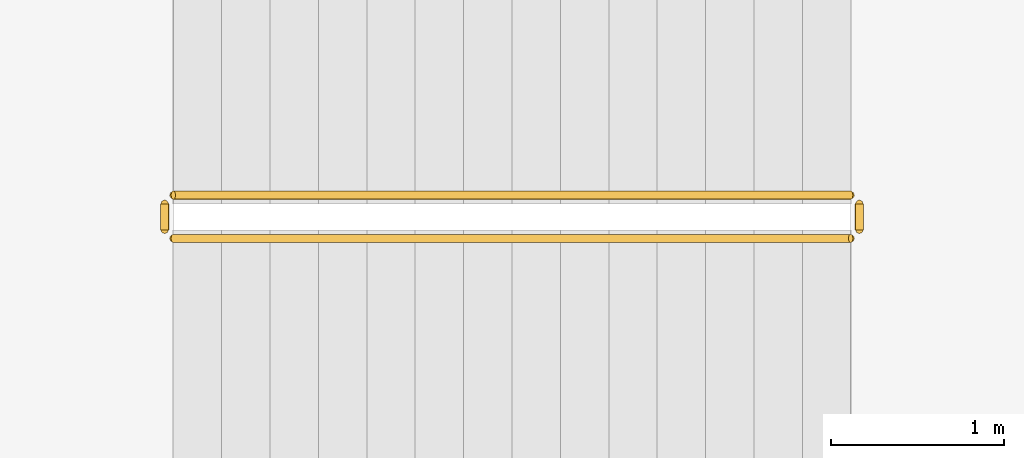
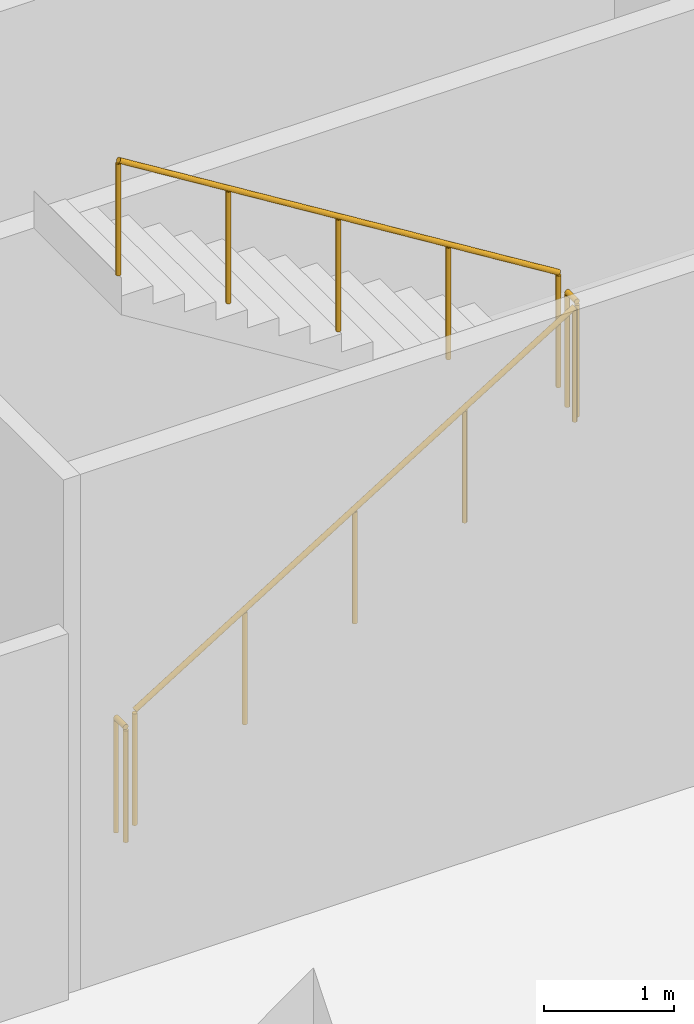
# One storey, part 15 of 21: 4 railings.
"""IFC4 building model written with IfcOpenShell, lengths in metres."""

from ifc_helpers import new_model, si_unit, direction, frame, origin, origin_2d, place, context, subcontext, project, spatial, circle, extrude, material, type_object, element, save


model = new_model("IFC4")

# Units and contexts
model_context = context("Model", 3, precision=1e-05, world=origin(), true_north=direction((0.0, 1.0)))
body_context = subcontext(model_context, "Body", "Model", "MODEL_VIEW")
ifc_project = project(units=[si_unit("LENGTHUNIT", "METRE"), si_unit("AREAUNIT", "SQUARE_METRE"), si_unit("VOLUMEUNIT", "CUBIC_METRE"), si_unit("PLANEANGLEUNIT", "RADIAN"), si_unit("MASSUNIT", "GRAM", prefix="KILO")], contexts=[model_context])

# Site, building, storey
site_placement = place(None, origin())
site = spatial("IfcSite", under=ifc_project, at=site_placement, CompositionType="ELEMENT")
building_placement = place(site_placement, origin())
building = spatial("IfcBuilding", under=site, at=building_placement, Name="Kawkab Arch Medical Tower", CompositionType="ELEMENT")
storey_placement = place(building_placement, frame((0.0, 0.0, 23.800048828125)))
storey = spatial("IfcBuildingStorey", under=building, at=storey_placement, Name="L05", CompositionType="ELEMENT", Elevation=23.800048828125)

# Railings
ifc_material = material(Name="Stainless steel", Category="steel")
railing_type = type_object("IfcRailingType", Name="Stair guard 1100", PredefinedType="GUARDRAIL", material=ifc_material)
railing_1_placement = place(storey_placement, frame((1.97509765625, -72.35009765625, 0.17333984375)))
element("IfcRailing", 1, at=railing_1_placement, inside=storey, type_object=railing_type, Name="L05 ST10 stair guard 1", PredefinedType="GUARDRAIL", context=body_context, shape_type="SweptSolid", body=[
    extrude(circle(Radius=0.02392578125, at=origin_2d()), frame((0.0, 0.0, 1.076171875), z_axis=(0.850275303828, 0.0, 0.526338206574), x_axis=(0.0, 1.0, 0.0)), (0.0, 0.0, 1.0), 4.610107421875),
    extrude(circle(Radius=0.02099609375, at=origin_2d()), origin(), (0.0, 0.0, 1.0), 1.052001953125),
    extrude(circle(Radius=0.02099609375, at=origin_2d()), frame((0.97998046875, 0.0, 0.606689453125)), (0.0, 0.0, 1.0), 1.052001953125),
    extrude(circle(Radius=0.02099609375, at=origin_2d()), frame((1.9599609375, 0.0, 1.21337890625)), (0.0, 0.0, 1.0), 1.052001953125),
    extrude(circle(Radius=0.02099609375, at=origin_2d()), frame((2.93994140625, 0.0, 1.81982421875)), (0.0, 0.0, 1.0), 1.052001953125),
    extrude(circle(Radius=0.02099609375, at=origin_2d()), frame((3.919921875, 0.0, 2.426513671875)), (0.0, 0.0, 1.0), 1.052001953125),
])
railing_2_placement = place(storey_placement, frame((5.945068359375, -72.300048828125, 2.599853515625)))
element("IfcRailing", 2, at=railing_2_placement, inside=storey, type_object=railing_type, Name="L05 ST10 stair guard 2", PredefinedType="GUARDRAIL", context=body_context, shape_type="SweptSolid", body=[
    extrude(circle(Radius=0.02392578125, at=origin_2d()), frame((0.0, 0.0, 1.076171875), z_axis=(0.0, 1.0, 0.0), x_axis=(-1.0, 0.0, 0.0)), (0.0, 0.0, 1.0), 0.150146484375),
    extrude(circle(Radius=0.02099609375, at=origin_2d()), origin(), (0.0, 0.0, 1.0), 1.052001953125),
    extrude(circle(Radius=0.02099609375, at=origin_2d()), frame((0.0, 0.150146484375, 0.0)), (0.0, 0.0, 1.0), 1.052001953125),
])
railing_3_placement = place(storey_placement, frame((5.89501953125, -72.10009765625, 2.773193359375)))
element("IfcRailing", 3, at=railing_3_placement, inside=storey, type_object=railing_type, Name="L05 ST10 stair guard 3", PredefinedType="GUARDRAIL", context=body_context, shape_type="SweptSolid", body=[
    extrude(circle(Radius=0.02392578125, at=origin_2d()), frame((0.0, 0.0, 1.076171875), z_axis=(-0.850251603719, 0.0, 0.526376491091), x_axis=(0.0, -1.0, 0.0)), (0.0, 0.0, 1.0), 4.6103515625),
    extrude(circle(Radius=0.02099609375, at=origin_2d()), origin(), (0.0, 0.0, 1.0), 1.052001953125),
    extrude(circle(Radius=0.02099609375, at=origin_2d()), frame((-0.97998046875, 0.0, 0.606689453125)), (0.0, 0.0, 1.0), 1.052001953125),
    extrude(circle(Radius=0.02099609375, at=origin_2d()), frame((-1.9599609375, 0.0, 1.21337890625)), (0.0, 0.0, 1.0), 1.052001953125),
    extrude(circle(Radius=0.02099609375, at=origin_2d()), frame((-2.93994140625, 0.0, 1.820068359375)), (0.0, 0.0, 1.0), 1.052001953125),
    extrude(circle(Radius=0.02099609375, at=origin_2d()), frame((-3.919921875, 0.0, 2.4267578125)), (0.0, 0.0, 1.0), 1.052001953125),
])
railing_4_placement = place(storey_placement, frame((1.925048828125, -72.300048828125, 0.0)))
element("IfcRailing", 4, at=railing_4_placement, inside=storey, type_object=railing_type, Name="L05 ST10 stair guard 4", PredefinedType="GUARDRAIL", context=body_context, shape_type="SweptSolid", body=[
    extrude(circle(Radius=0.02392578125, at=origin_2d()), frame((0.0, 0.0, 1.076171875), z_axis=(0.0, 1.0, 0.0), x_axis=(-1.0, 0.0, 0.0)), (0.0, 0.0, 1.0), 0.150146484375),
    extrude(circle(Radius=0.02099609375, at=origin_2d()), origin(), (0.0, 0.0, 1.0), 1.052001953125),
    extrude(circle(Radius=0.02099609375, at=origin_2d()), frame((0.0, 0.150146484375, 0.0)), (0.0, 0.0, 1.0), 1.052001953125),
])

save(model, "model.ifc")
